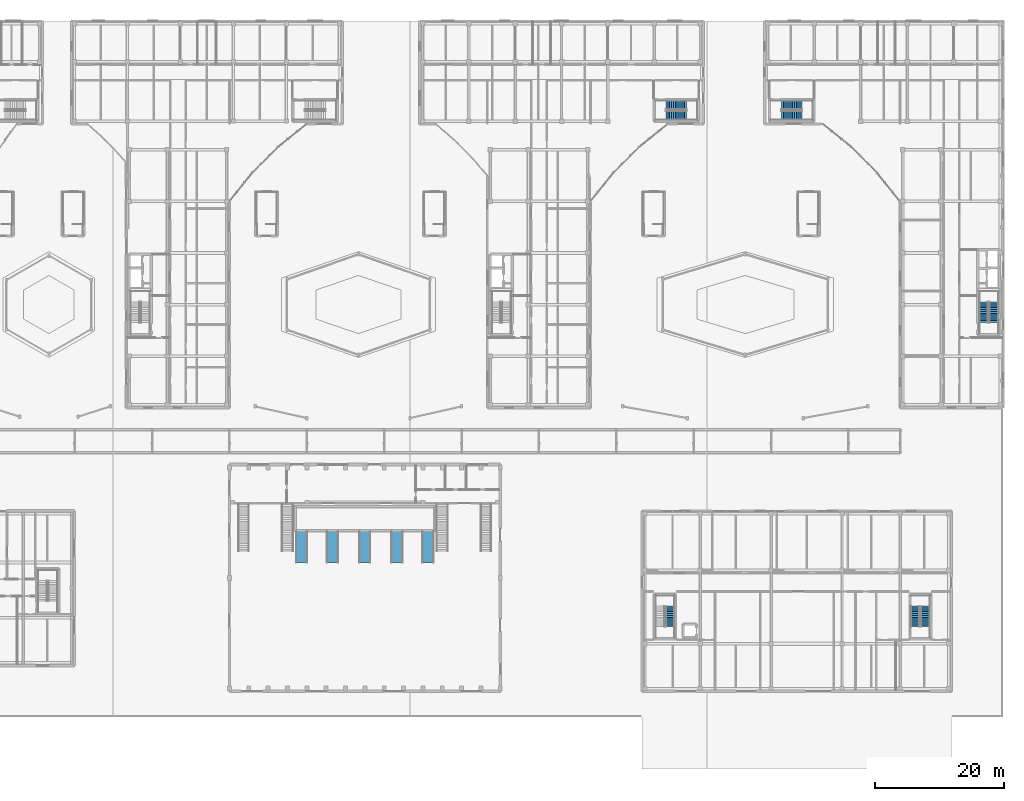
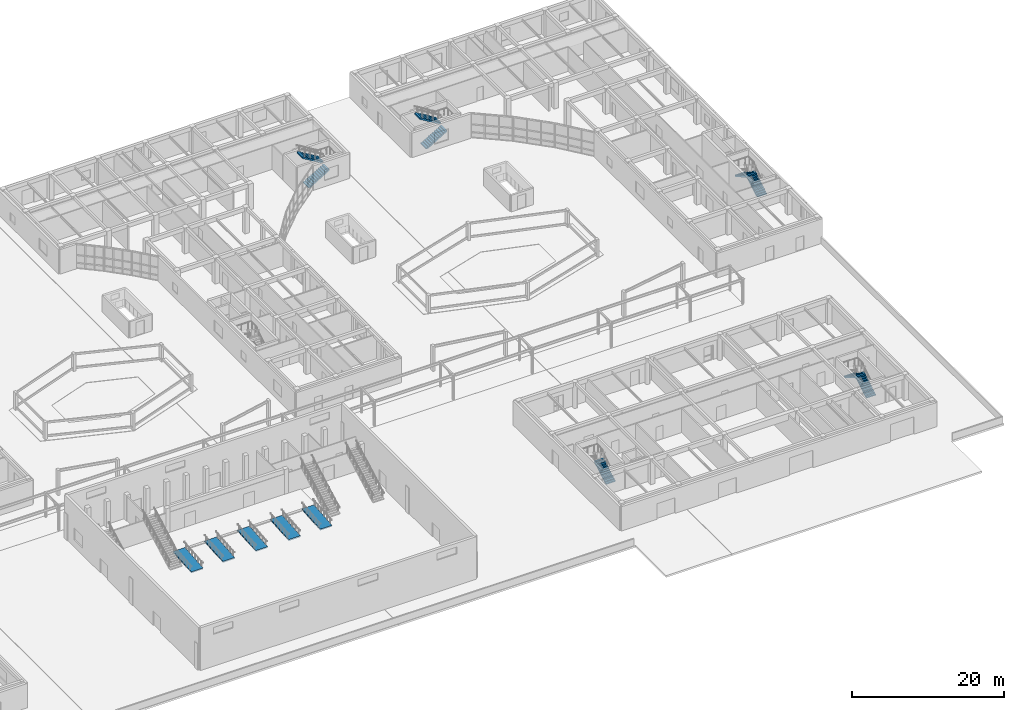
# One storey, part 93 of 114: 9 stair flights, 5 ramp flights, 10 elements without a shape of their own.
"""IFC4 building model written with IfcOpenShell, lengths in metres."""

from ifc_helpers import new_model, si_unit, direction, frame, origin, place, context, subcontext, project, spatial, polyline, outline, extrude, material, layer, layer_set, type_object, element, aggregate, save


model = new_model("IFC4")

# Units and contexts
model_context = context("Model", 3, precision=1e-05, world=origin(), true_north=direction((0.0, 1.0)))
body_context = subcontext(model_context, "Body", "Model", "MODEL_VIEW")
ifc_project = project(units=[si_unit("LENGTHUNIT", "METRE"), si_unit("AREAUNIT", "SQUARE_METRE"), si_unit("VOLUMEUNIT", "CUBIC_METRE"), si_unit("PLANEANGLEUNIT", "RADIAN"), si_unit("MASSUNIT", "GRAM", prefix="KILO")], contexts=[model_context])

# Site, building, storey
site_placement = place(None, origin())
site = spatial("IfcSite", under=ifc_project, at=site_placement, CompositionType="ELEMENT")
building_placement = place(site_placement, origin())
building = spatial("IfcBuilding", under=site, at=building_placement, Name="Keldmere Railside Commons", CompositionType="ELEMENT")
storey_placement = place(building_placement, origin())
storey = spatial("IfcBuildingStorey", under=building, at=storey_placement, Name="L00", CompositionType="ELEMENT", Elevation=0.0)

# Stair, stair flights
ifc_material = material(Name="Concrete H-30 (C30/37)", Category="concrete")
stair_type_1 = type_object("IfcStairType", Name="Basement Garage Dogleg Escape Stair 1450", PredefinedType="HALF_TURN_STAIR", material=ifc_material)
stair_1_placement = place(storey_placement, origin())
stair_1 = element("IfcStair", 1, at=stair_1_placement, inside=storey, type_object=stair_type_1, Name="L00 Block B Secondary Escape Stair 2", PredefinedType="HALF_TURN_STAIR")
stair_flight_type_1 = type_object("IfcStairFlightType", Name="Basement Escape Stair Flight 1450", PredefinedType="STRAIGHT", material=ifc_material)
stair_flight_1_placement = place(storey_placement, frame((131.699951171875, 101.324951171875, 0.0), z_axis=(0.0, 0.0, 1.0), x_axis=(1.0, 0.0, 0.0)))
stair_flight_1 = element("IfcStairFlight", 2, at=stair_flight_1_placement, type_object=stair_flight_type_1, Name="ST-B2 flight 1", NumberOfRisers=12, NumberOfTreads=11, PredefinedType="STRAIGHT", RiserHeight=0.173333333, TreadLength=0.29, context=body_context, shape_type="SweptSolid", body=[
    extrude(outline(polyline([(0.0, 0.0), (0.0, 0.17333984375), (0.2900390625, 0.17333984375), (0.2900390625, 0.3466796875), (0.580078125, 0.3466796875), (0.580078125, 0.52001953125), (0.8701171875, 0.52001953125), (0.8701171875, 0.693359375), (1.159912109375, 0.693359375), (1.159912109375, 0.86669921875), (1.449951171875, 0.86669921875), (1.449951171875, 1.0400390625), (1.739990234375, 1.0400390625), (1.739990234375, 1.21337890625), (2.030029296875, 1.21337890625), (2.030029296875, 1.38671875), (2.320068359375, 1.38671875), (2.320068359375, 1.56005859375), (2.610107421875, 1.56005859375), (2.610107421875, 1.7333984375), (2.89990234375, 1.7333984375), (2.89990234375, 1.90673828125), (3.18994140625, 1.90673828125), (3.18994140625, 2.080078125), (3.18994140625, 1.697021484375), (0.350830078125, 0.0), (0.0, 0.0)])), frame((0.0, 0.72509765625, 0.0), z_axis=(0.0, -1.0, 0.0), x_axis=(1.0, 0.0, 0.0)), (0.0, 0.0, 1.0), 1.449951171875),
])
stair_flight_2_placement = place(storey_placement, frame((134.889892578125, 102.925048828125, 2.080078125), z_axis=(0.0, 0.0, 1.0), x_axis=(-1.0, 0.0, 0.0)))
stair_flight_2 = element("IfcStairFlight", 3, at=stair_flight_2_placement, type_object=stair_flight_type_1, Name="ST-B2 flight 2", NumberOfRisers=12, NumberOfTreads=11, PredefinedType="STRAIGHT", RiserHeight=0.173333333, TreadLength=0.29, context=body_context, shape_type="SweptSolid", body=[
    extrude(outline(polyline([(0.0, 0.0), (0.0, 0.17333984375), (0.2900390625, 0.17333984375), (0.2900390625, 0.3466796875), (0.580078125, 0.3466796875), (0.580078125, 0.52001953125), (0.8701171875, 0.52001953125), (0.8701171875, 0.693359375), (1.159912109375, 0.693359375), (1.159912109375, 0.86669921875), (1.449951171875, 0.86669921875), (1.449951171875, 1.0400390625), (1.739990234375, 1.0400390625), (1.739990234375, 1.21337890625), (2.030029296875, 1.21337890625), (2.030029296875, 1.38671875), (2.320068359375, 1.38671875), (2.320068359375, 1.56005859375), (2.610107421875, 1.56005859375), (2.610107421875, 1.7333984375), (2.89990234375, 1.7333984375), (2.89990234375, 1.90673828125), (3.18994140625, 1.90673828125), (3.18994140625, 2.080078125), (3.18994140625, 1.697021484375), (0.350830078125, 0.0), (0.0, 0.0)])), frame((0.0, 0.72509765625, 0.0), z_axis=(0.0, -1.0, 0.0), x_axis=(1.0, 0.0, 0.0)), (0.0, 0.0, 1.0), 1.449951171875),
])
aggregate(stair_1, [stair_flight_1, stair_flight_2])

stair_type_2 = type_object("IfcStairType", Name="Ground Podium Dogleg Stair 1450", PredefinedType="HALF_TURN_STAIR", material=ifc_material)
stair_2_placement = place(storey_placement, origin())
stair_2 = element("IfcStair", 4, at=stair_2_placement, inside=storey, type_object=stair_type_2, Name="L00 Block A Primary Escape Stair 1", PredefinedType="HALF_TURN_STAIR")
stair_flight_type_2 = type_object("IfcStairFlightType", Name="Ground Podium Stair Flight 1450", PredefinedType="STRAIGHT", material=ifc_material)
stair_flight_3_placement = place(storey_placement, frame((182.574951171875, 69.199951171875, 0.0), z_axis=(0.0, 0.0, 1.0), x_axis=(0.0, 1.0, 0.0)))
stair_flight_3 = element("IfcStairFlight", 5, at=stair_flight_3_placement, type_object=stair_flight_type_2, Name="ST-A1 flight 1", NumberOfRisers=12, NumberOfTreads=11, PredefinedType="STRAIGHT", RiserHeight=0.173333333, TreadLength=0.29, context=body_context, shape_type="SweptSolid", body=[
    extrude(outline(polyline([(0.0, 0.0), (0.0, 0.17333984375), (0.2900390625, 0.17333984375), (0.2900390625, 0.3466796875), (0.580078125, 0.3466796875), (0.580078125, 0.52001953125), (0.8701171875, 0.52001953125), (0.8701171875, 0.693359375), (1.159912109375, 0.693359375), (1.159912109375, 0.86669921875), (1.449951171875, 0.86669921875), (1.449951171875, 1.0400390625), (1.739990234375, 1.0400390625), (1.739990234375, 1.21337890625), (2.030029296875, 1.21337890625), (2.030029296875, 1.38671875), (2.320068359375, 1.38671875), (2.320068359375, 1.56005859375), (2.610107421875, 1.56005859375), (2.610107421875, 1.7333984375), (2.89990234375, 1.7333984375), (2.89990234375, 1.90673828125), (3.18994140625, 1.90673828125), (3.18994140625, 2.080078125), (3.18994140625, 1.697021484375), (0.350830078125, 0.0), (0.0, 0.0)])), frame((0.0, 0.72509765625, 0.0), z_axis=(0.0, -1.0, 0.0), x_axis=(1.0, 0.0, 0.0)), (0.0, 0.0, 1.0), 1.449951171875),
])
stair_flight_4_placement = place(storey_placement, frame((180.97509765625, 72.389892578125, 2.080078125), z_axis=(0.0, 0.0, 1.0), x_axis=(0.0, -1.0, 0.0)))
stair_flight_4 = element("IfcStairFlight", 6, at=stair_flight_4_placement, type_object=stair_flight_type_2, Name="ST-A1 flight 2", NumberOfRisers=12, NumberOfTreads=11, PredefinedType="STRAIGHT", RiserHeight=0.173333333, TreadLength=0.29, context=body_context, shape_type="SweptSolid", body=[
    extrude(outline(polyline([(0.0, 0.0), (0.0, 0.17333984375), (0.2900390625, 0.17333984375), (0.2900390625, 0.3466796875), (0.580078125, 0.3466796875), (0.580078125, 0.52001953125), (0.8701171875, 0.52001953125), (0.8701171875, 0.693359375), (1.159912109375, 0.693359375), (1.159912109375, 0.86669921875), (1.449951171875, 0.86669921875), (1.449951171875, 1.0400390625), (1.739990234375, 1.0400390625), (1.739990234375, 1.21337890625), (2.030029296875, 1.21337890625), (2.030029296875, 1.38671875), (2.320068359375, 1.38671875), (2.320068359375, 1.56005859375), (2.610107421875, 1.56005859375), (2.610107421875, 1.7333984375), (2.89990234375, 1.7333984375), (2.89990234375, 1.90673828125), (3.18994140625, 1.90673828125), (3.18994140625, 2.080078125), (3.18994140625, 1.697021484375), (0.350830078125, 0.0), (0.0, 0.0)])), frame((0.0, 0.72509765625, 0.0), z_axis=(0.0, -1.0, 0.0), x_axis=(1.0, 0.0, 0.0)), (0.0, 0.0, 1.0), 1.449951171875),
])
aggregate(stair_2, [stair_flight_3, stair_flight_4])

stair_3_placement = place(storey_placement, origin())
stair_3 = element("IfcStair", 7, at=stair_3_placement, inside=storey, type_object=stair_type_2, Name="L00 Block A Secondary Escape Stair 2", PredefinedType="HALF_TURN_STAIR")
stair_flight_5_placement = place(storey_placement, frame((149.60009765625, 101.324951171875, 0.0), z_axis=(0.0, 0.0, 1.0), x_axis=(1.0, 0.0, 0.0)))
stair_flight_5 = element("IfcStairFlight", 8, at=stair_flight_5_placement, type_object=stair_flight_type_2, Name="ST-A2 flight 1", NumberOfRisers=12, NumberOfTreads=11, PredefinedType="STRAIGHT", RiserHeight=0.173333333, TreadLength=0.29, context=body_context, shape_type="SweptSolid", body=[
    extrude(outline(polyline([(0.0, 0.0), (0.0, 0.17333984375), (0.2900390625, 0.17333984375), (0.2900390625, 0.3466796875), (0.580078125, 0.3466796875), (0.580078125, 0.52001953125), (0.8701171875, 0.52001953125), (0.8701171875, 0.693359375), (1.159912109375, 0.693359375), (1.159912109375, 0.86669921875), (1.449951171875, 0.86669921875), (1.449951171875, 1.0400390625), (1.739990234375, 1.0400390625), (1.739990234375, 1.21337890625), (2.030029296875, 1.21337890625), (2.030029296875, 1.38671875), (2.320068359375, 1.38671875), (2.320068359375, 1.56005859375), (2.610107421875, 1.56005859375), (2.610107421875, 1.7333984375), (2.89990234375, 1.7333984375), (2.89990234375, 1.90673828125), (3.18994140625, 1.90673828125), (3.18994140625, 2.080078125), (3.18994140625, 1.697021484375), (0.350830078125, 0.0), (0.0, 0.0)])), frame((0.0, 0.72509765625, 0.0), z_axis=(0.0, -1.0, 0.0), x_axis=(1.0, 0.0, 0.0)), (0.0, 0.0, 1.0), 1.449951171875),
])
stair_flight_6_placement = place(storey_placement, frame((152.7900390625, 102.925048828125, 2.080078125), z_axis=(0.0, 0.0, 1.0), x_axis=(-1.0, 0.0, 0.0)))
stair_flight_6 = element("IfcStairFlight", 9, at=stair_flight_6_placement, type_object=stair_flight_type_2, Name="ST-A2 flight 2", NumberOfRisers=12, NumberOfTreads=11, PredefinedType="STRAIGHT", RiserHeight=0.173333333, TreadLength=0.29, context=body_context, shape_type="SweptSolid", body=[
    extrude(outline(polyline([(0.0, 0.0), (0.0, 0.17333984375), (0.2900390625, 0.17333984375), (0.2900390625, 0.3466796875), (0.580078125, 0.3466796875), (0.580078125, 0.52001953125), (0.8701171875, 0.52001953125), (0.8701171875, 0.693359375), (1.159912109375, 0.693359375), (1.159912109375, 0.86669921875), (1.449951171875, 0.86669921875), (1.449951171875, 1.0400390625), (1.739990234375, 1.0400390625), (1.739990234375, 1.21337890625), (2.030029296875, 1.21337890625), (2.030029296875, 1.38671875), (2.320068359375, 1.38671875), (2.320068359375, 1.56005859375), (2.610107421875, 1.56005859375), (2.610107421875, 1.7333984375), (2.89990234375, 1.7333984375), (2.89990234375, 1.90673828125), (3.18994140625, 1.90673828125), (3.18994140625, 2.080078125), (3.18994140625, 1.697021484375), (0.350830078125, 0.0), (0.0, 0.0)])), frame((0.0, 0.72509765625, 0.0), z_axis=(0.0, -1.0, 0.0), x_axis=(1.0, 0.0, 0.0)), (0.0, 0.0, 1.0), 1.449951171875),
])
aggregate(stair_3, [stair_flight_5, stair_flight_6])

# Stair, stair flight
stair_type_3 = type_object("IfcStairType", Name="Market Arcade Ground Dogleg Stair 1420", PredefinedType="HALF_TURN_STAIR", material=ifc_material)
stair_4_placement = place(storey_placement, origin())
stair_4 = element("IfcStair", 10, at=stair_4_placement, inside=storey, type_object=stair_type_3, Name="L00 Market Arcade Escape Stair ST-M1", PredefinedType="HALF_TURN_STAIR")
stair_flight_type_3 = type_object("IfcStairFlightType", Name="Market Arcade Ground Stair Flight 1420", PredefinedType="STRAIGHT", material=ifc_material)
stair_flight_7_placement = place(storey_placement, frame((132.340087890625, 22.050048828125, 0.0), z_axis=(0.0, 0.0, 1.0), x_axis=(0.0, 1.0, 0.0)))
stair_flight_7 = element("IfcStairFlight", 11, at=stair_flight_7_placement, type_object=stair_flight_type_3, Name="ST-M1 flight 1", NumberOfRisers=12, NumberOfTreads=11, PredefinedType="STRAIGHT", RiserHeight=0.173333333, TreadLength=0.29, context=body_context, shape_type="SweptSolid", body=[
    extrude(outline(polyline([(0.0, 0.0), (0.0, 0.17333984375), (0.2900390625, 0.17333984375), (0.2900390625, 0.3466796875), (0.580078125, 0.3466796875), (0.580078125, 0.52001953125), (0.8701171875, 0.52001953125), (0.8701171875, 0.693359375), (1.159912109375, 0.693359375), (1.159912109375, 0.86669921875), (1.449951171875, 0.86669921875), (1.449951171875, 1.0400390625), (1.739990234375, 1.0400390625), (1.739990234375, 1.21337890625), (2.030029296875, 1.21337890625), (2.030029296875, 1.38671875), (2.320068359375, 1.38671875), (2.320068359375, 1.56005859375), (2.610107421875, 1.56005859375), (2.610107421875, 1.7333984375), (2.89990234375, 1.7333984375), (2.89990234375, 1.90673828125), (3.18994140625, 1.90673828125), (3.18994140625, 2.080078125), (3.18994140625, 1.697021484375), (0.350830078125, 0.0), (0.0, 0.0)])), frame((0.0, 0.7099609375, 0.0), z_axis=(0.0, -1.0, 0.0), x_axis=(1.0, 0.0, 0.0)), (0.0, 0.0, 1.0), 1.419921875),
])
aggregate(stair_4, [stair_flight_7])

# Stair, stair flights
stair_5_placement = place(storey_placement, origin())
stair_5 = element("IfcStair", 12, at=stair_5_placement, inside=storey, type_object=stair_type_3, Name="L00 Market Arcade Escape Stair ST-M2", PredefinedType="HALF_TURN_STAIR")
stair_flight_8_placement = place(storey_placement, frame((171.93994140625, 22.050048828125, 0.0), z_axis=(0.0, 0.0, 1.0), x_axis=(0.0, 1.0, 0.0)))
stair_flight_8 = element("IfcStairFlight", 13, at=stair_flight_8_placement, type_object=stair_flight_type_3, Name="ST-M2 flight 1", NumberOfRisers=12, NumberOfTreads=11, PredefinedType="STRAIGHT", RiserHeight=0.173333333, TreadLength=0.29, context=body_context, shape_type="SweptSolid", body=[
    extrude(outline(polyline([(0.0, 0.0), (0.0, 0.17333984375), (0.2900390625, 0.17333984375), (0.2900390625, 0.3466796875), (0.580078125, 0.3466796875), (0.580078125, 0.52001953125), (0.8701171875, 0.52001953125), (0.8701171875, 0.693359375), (1.159912109375, 0.693359375), (1.159912109375, 0.86669921875), (1.449951171875, 0.86669921875), (1.449951171875, 1.0400390625), (1.739990234375, 1.0400390625), (1.739990234375, 1.21337890625), (2.030029296875, 1.21337890625), (2.030029296875, 1.38671875), (2.320068359375, 1.38671875), (2.320068359375, 1.56005859375), (2.610107421875, 1.56005859375), (2.610107421875, 1.7333984375), (2.89990234375, 1.7333984375), (2.89990234375, 1.90673828125), (3.18994140625, 1.90673828125), (3.18994140625, 2.080078125), (3.18994140625, 1.697021484375), (0.350830078125, 0.0), (0.0, 0.0)])), frame((0.0, 0.7099609375, 0.0), z_axis=(0.0, -1.0, 0.0), x_axis=(1.0, 0.0, 0.0)), (0.0, 0.0, 1.0), 1.419921875),
])
stair_flight_9_placement = place(storey_placement, frame((170.3701171875, 25.239990234375, 2.080078125), z_axis=(0.0, 0.0, 1.0), x_axis=(0.0, -1.0, 0.0)))
stair_flight_9 = element("IfcStairFlight", 14, at=stair_flight_9_placement, type_object=stair_flight_type_3, Name="ST-M2 flight 2", NumberOfRisers=12, NumberOfTreads=11, PredefinedType="STRAIGHT", RiserHeight=0.173333333, TreadLength=0.29, context=body_context, shape_type="SweptSolid", body=[
    extrude(outline(polyline([(0.0, 0.0), (0.0, 0.17333984375), (0.2900390625, 0.17333984375), (0.2900390625, 0.3466796875), (0.580078125, 0.3466796875), (0.580078125, 0.52001953125), (0.8701171875, 0.52001953125), (0.8701171875, 0.693359375), (1.159912109375, 0.693359375), (1.159912109375, 0.86669921875), (1.449951171875, 0.86669921875), (1.449951171875, 1.0400390625), (1.739990234375, 1.0400390625), (1.739990234375, 1.21337890625), (2.030029296875, 1.21337890625), (2.030029296875, 1.38671875), (2.320068359375, 1.38671875), (2.320068359375, 1.56005859375), (2.610107421875, 1.56005859375), (2.610107421875, 1.7333984375), (2.89990234375, 1.7333984375), (2.89990234375, 1.90673828125), (3.18994140625, 1.90673828125), (3.18994140625, 2.080078125), (3.18994140625, 1.697021484375), (0.350830078125, 0.0), (0.0, 0.0)])), frame((0.0, 0.7099609375, 0.0), z_axis=(0.0, -1.0, 0.0), x_axis=(1.0, 0.0, 0.0)), (0.0, 0.0, 1.0), 1.419921875),
])
aggregate(stair_5, [stair_flight_8, stair_flight_9])

# Ramp, ramp flight
ramp_type = type_object("IfcRampType", Name="Accessible Pedestrian Court Ramp 1800", PredefinedType="STRAIGHT_RUN_RAMP", material=ifc_material)
ramp_1_placement = place(storey_placement, origin())
ramp_1 = element("IfcRamp", 15, at=ramp_1_placement, inside=storey, type_object=ramp_type, Name="PR-1 Stage Accessible Ramp 1", PredefinedType="STRAIGHT_RUN_RAMP")
ifc_layer = layer(ifc_material, 0.199951171875, Name="Accessible Pedestrian Ramp Flight 200")
ifc_layer_set = layer_set([ifc_layer], Name="Concrete H-30 (C30/37)")
ramp_flight_type = type_object("IfcRampFlightType", Name="Accessible Pedestrian Ramp Flight 200", PredefinedType="STRAIGHT", material=ifc_layer_set)
ramp_flight_1_placement = place(storey_placement, frame((75.199951171875, 32.0, 0.0), z_axis=(0.0, 0.0, 1.0), x_axis=(0.0, 1.0, 0.0)))
ramp_flight_1 = element("IfcRampFlight", 16, at=ramp_flight_1_placement, type_object=ramp_flight_type, Name="PRF-1 Stage Ramp Flight 1", PredefinedType="STRAIGHT", context=body_context, shape_type="SweptSolid", body=[
    extrude(outline(polyline([(0.0, 0.0), (0.0, -0.199951171875), (4.800048828125, 0.199951171875), (4.800048828125, 0.39990234375), (0.0, 0.0)])), frame((0.0, 0.89990234375, 0.0), z_axis=(0.0, -1.0, 0.0), x_axis=(1.0, 0.0, 0.0)), (0.0, 0.0, 1.0), 1.800048828125),
])
aggregate(ramp_1, [ramp_flight_1])

ramp_2_placement = place(storey_placement, origin())
ramp_2 = element("IfcRamp", 17, at=ramp_2_placement, inside=storey, type_object=ramp_type, Name="PR-1 Stage Accessible Ramp 2", PredefinedType="STRAIGHT_RUN_RAMP")
ramp_flight_2_placement = place(storey_placement, frame((80.0, 32.0, 0.0), z_axis=(0.0, 0.0, 1.0), x_axis=(0.0, 1.0, 0.0)))
ramp_flight_2 = element("IfcRampFlight", 18, at=ramp_flight_2_placement, type_object=ramp_flight_type, Name="PRF-1 Stage Ramp Flight 2", PredefinedType="STRAIGHT", context=body_context, shape_type="SweptSolid", body=[
    extrude(outline(polyline([(0.0, 0.0), (0.0, -0.199951171875), (4.800048828125, 0.199951171875), (4.800048828125, 0.39990234375), (0.0, 0.0)])), frame((0.0, 0.89990234375, 0.0), z_axis=(0.0, -1.0, 0.0), x_axis=(1.0, 0.0, 0.0)), (0.0, 0.0, 1.0), 1.800048828125),
])
aggregate(ramp_2, [ramp_flight_2])

ramp_3_placement = place(storey_placement, origin())
ramp_3 = element("IfcRamp", 19, at=ramp_3_placement, inside=storey, type_object=ramp_type, Name="PR-1 Stage Accessible Ramp 3", PredefinedType="STRAIGHT_RUN_RAMP")
ramp_flight_3_placement = place(storey_placement, frame((85.0, 32.0, 0.0), z_axis=(0.0, 0.0, 1.0), x_axis=(0.0, 1.0, 0.0)))
ramp_flight_3 = element("IfcRampFlight", 20, at=ramp_flight_3_placement, type_object=ramp_flight_type, Name="PRF-1 Stage Ramp Flight 3", PredefinedType="STRAIGHT", context=body_context, shape_type="SweptSolid", body=[
    extrude(outline(polyline([(0.0, 0.0), (0.0, -0.199951171875), (4.800048828125, 0.199951171875), (4.800048828125, 0.39990234375), (0.0, 0.0)])), frame((0.0, 0.89990234375, 0.0), z_axis=(0.0, -1.0, 0.0), x_axis=(1.0, 0.0, 0.0)), (0.0, 0.0, 1.0), 1.800048828125),
])
aggregate(ramp_3, [ramp_flight_3])

ramp_4_placement = place(storey_placement, origin())
ramp_4 = element("IfcRamp", 21, at=ramp_4_placement, inside=storey, type_object=ramp_type, Name="PR-1 Stage Accessible Ramp 4", PredefinedType="STRAIGHT_RUN_RAMP")
ramp_flight_4_placement = place(storey_placement, frame((90.0, 32.0, 0.0), z_axis=(0.0, 0.0, 1.0), x_axis=(0.0, 1.0, 0.0)))
ramp_flight_4 = element("IfcRampFlight", 22, at=ramp_flight_4_placement, type_object=ramp_flight_type, Name="PRF-1 Stage Ramp Flight 4", PredefinedType="STRAIGHT", context=body_context, shape_type="SweptSolid", body=[
    extrude(outline(polyline([(0.0, 0.0), (0.0, -0.199951171875), (4.800048828125, 0.199951171875), (4.800048828125, 0.39990234375), (0.0, 0.0)])), frame((0.0, 0.89990234375, 0.0), z_axis=(0.0, -1.0, 0.0), x_axis=(1.0, 0.0, 0.0)), (0.0, 0.0, 1.0), 1.800048828125),
])
aggregate(ramp_4, [ramp_flight_4])

ramp_5_placement = place(storey_placement, origin())
ramp_5 = element("IfcRamp", 23, at=ramp_5_placement, inside=storey, type_object=ramp_type, Name="PR-1 Stage Accessible Ramp 5", PredefinedType="STRAIGHT_RUN_RAMP")
ramp_flight_5_placement = place(storey_placement, frame((94.800048828125, 32.0, 0.0), z_axis=(0.0, 0.0, 1.0), x_axis=(0.0, 1.0, 0.0)))
ramp_flight_5 = element("IfcRampFlight", 24, at=ramp_flight_5_placement, type_object=ramp_flight_type, Name="PRF-1 Stage Ramp Flight 5", PredefinedType="STRAIGHT", context=body_context, shape_type="SweptSolid", body=[
    extrude(outline(polyline([(0.0, 0.0), (0.0, -0.199951171875), (4.800048828125, 0.199951171875), (4.800048828125, 0.39990234375), (0.0, 0.0)])), frame((0.0, 0.89990234375, 0.0), z_axis=(0.0, -1.0, 0.0), x_axis=(1.0, 0.0, 0.0)), (0.0, 0.0, 1.0), 1.800048828125),
])
aggregate(ramp_5, [ramp_flight_5])

save(model, "model.ifc")
